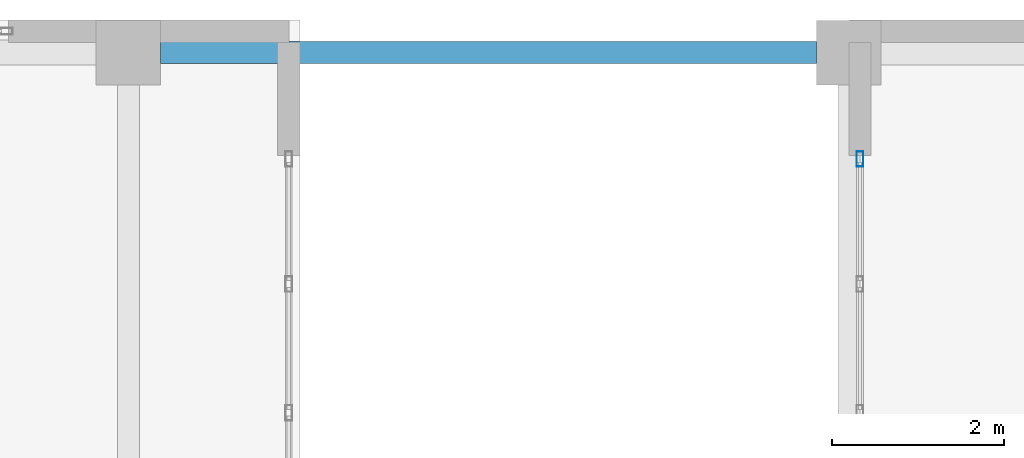
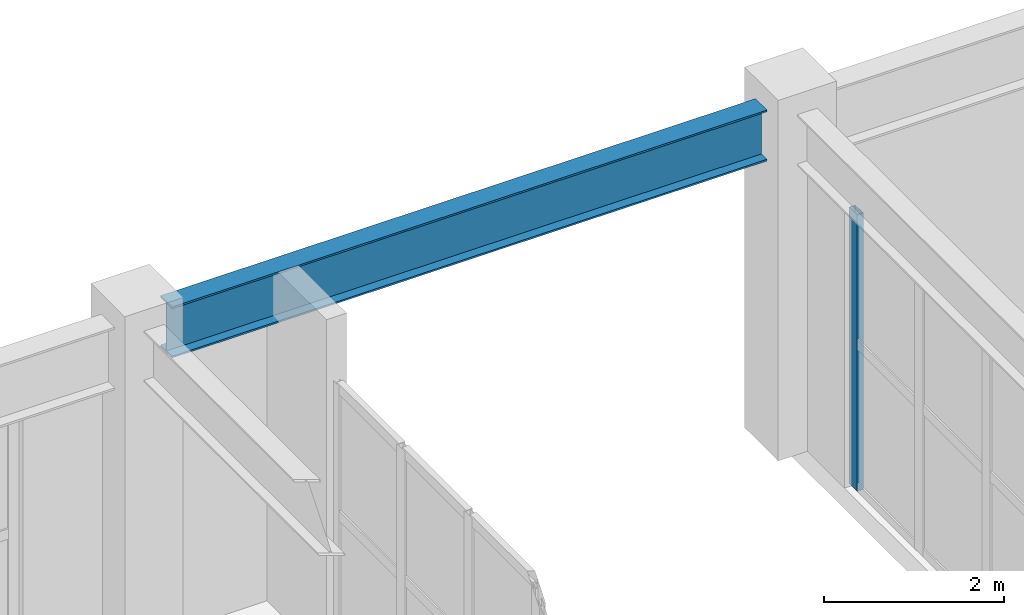
# One storey, part 8 of 11: 1 beam, 1 member, 1 element without a shape of its own.
"""IFC4 building model written with IfcOpenShell, lengths in metres."""

from ifc_helpers import new_model, si_unit, direction, frame, origin, origin_2d, place, context, subcontext, project, spatial, hollow_rectangle, i_section, extrude, material, layer, layer_set, material_profile, profile_set, type_object, element, aggregate, save


model = new_model("IFC4")

# Units and contexts
model_context = context("Model", 3, precision=1e-05, world=origin(), true_north=direction((0.0, 1.0)))
body_context = subcontext(model_context, "Body", "Model", "MODEL_VIEW")
ifc_project = project(units=[si_unit("LENGTHUNIT", "METRE"), si_unit("AREAUNIT", "SQUARE_METRE"), si_unit("VOLUMEUNIT", "CUBIC_METRE"), si_unit("PLANEANGLEUNIT", "RADIAN"), si_unit("MASSUNIT", "GRAM", prefix="KILO")], contexts=[model_context])

# Site, building, storey
site_placement = place(None, origin())
site = spatial("IfcSite", under=ifc_project, at=site_placement, CompositionType="ELEMENT")
building_placement = place(site_placement, origin())
building = spatial("IfcBuilding", under=site, at=building_placement, Name="Solanera Arch Residences", CompositionType="ELEMENT")
storey_placement = place(building_placement, frame((0.0, 0.0, 282.97998046875)))
storey = spatial("IfcBuildingStorey", under=building, at=storey_placement, Name="L81", CompositionType="ELEMENT", Elevation=282.97998046875)

# Curtain wall, member
ifc_material_1 = material(Name="Anodised Aluminium Alloy 6063-T6", Category="aluminium")
ifc_layer = layer(ifc_material_1, 0.179931640625)
ifc_layer_set = layer_set([ifc_layer], Name="Anodised Aluminium Alloy 6063-T6")
curtain_wall_type = type_object("IfcCurtainWallType", Name="CW-6 Split-Top Crown Lantern Curtain Wall", PredefinedType="USERDEFINED", material=ifc_layer_set)
curtain_wall_placement = place(storey_placement, origin())
curtain_wall = element("IfcCurtainWall", 1, at=curtain_wall_placement, inside=storey, type_object=curtain_wall_type, Name="L81 E Crown Cleft Lantern Curtain Wall", ObjectType="CURTAIN_WALL", PredefinedType="USERDEFINED")
ifc_material_2 = material(Name="Anodised Aluminium Alloy 6063-T6", Category="aluminium")
ifc_material_profile_1 = material_profile(ifc_material_2, hollow_rectangle(XDim=0.080078125, YDim=0.179931640625, WallThickness=0.00390625, at=origin_2d()))
ifc_profile_set_1 = profile_set([ifc_material_profile_1], Name="Anodised Aluminium Alloy 6063-T6")
member_type = type_object("IfcMemberType", Name="Curtain Wall Mullion ALU-MUL-80X180", PredefinedType="MULLION", material=ifc_profile_set_1)
member_placement = place(storey_placement, frame((29.330078125, 38.159912109375, 0.0), z_axis=(0.0, 0.0, 1.0), x_axis=(-1.0, 0.0, 0.0)))
member = element("IfcMember", 2, at=member_placement, type_object=member_type, Name="CW-6 mullion 5", PredefinedType="MULLION", context=body_context, shape_type="SweptSolid", body=[
    extrude(hollow_rectangle(XDim=0.080078125, YDim=0.179931640625, WallThickness=0.00390625, at=origin_2d()), origin(), (0.0, 0.0, 1.0), 3.760009765625),
])
aggregate(curtain_wall, [member])

# Beam
ifc_material_3 = material(Name="Steel S355 (ASTM A992 / A572 Grade 50)", Category="steel")
ifc_material_profile_2 = material_profile(ifc_material_3, i_section(OverallWidth=0.256103515625, OverallDepth=0.693115234375, WebThickness=0.014404296875, FlangeThickness=0.023681640625, at=origin_2d()))
ifc_profile_set_2 = profile_set([ifc_material_profile_2], Name="Steel S355 (ASTM A992 / A572 Grade 50)")
beam_type = type_object("IfcBeamType", Name="Primary Beam W690X170", PredefinedType="BEAM", material=ifc_profile_set_2)
beam_placement = place(storey_placement, frame((21.175048828125, 39.39990234375, 4.27392578125), z_axis=(1.0, 0.0, 0.0), x_axis=(0.0, 1.0, 0.0)))
element("IfcBeam", 3, at=beam_placement, inside=storey, type_object=beam_type, Name="BM-L81-CR-TIE-N", PredefinedType="BEAM", context=body_context, shape_type="SweptSolid", body=[
    extrude(i_section(OverallWidth=0.256103515625, OverallDepth=0.693115234375, WebThickness=0.014404296875, FlangeThickness=0.023681640625, at=origin_2d()), origin(), (0.0, 0.0, 1.0), 7.64990234375),
])

save(model, "model.ifc")
